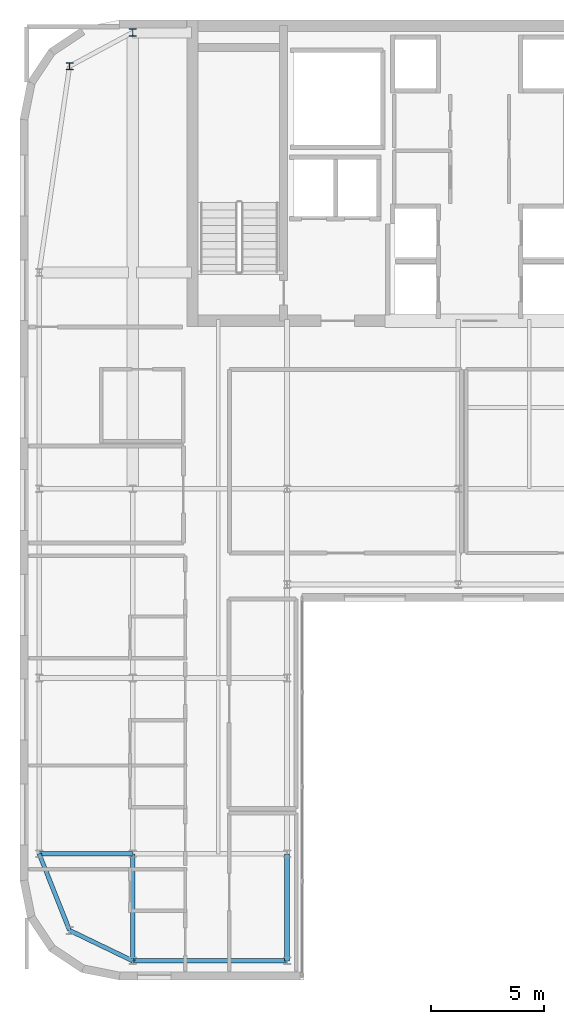
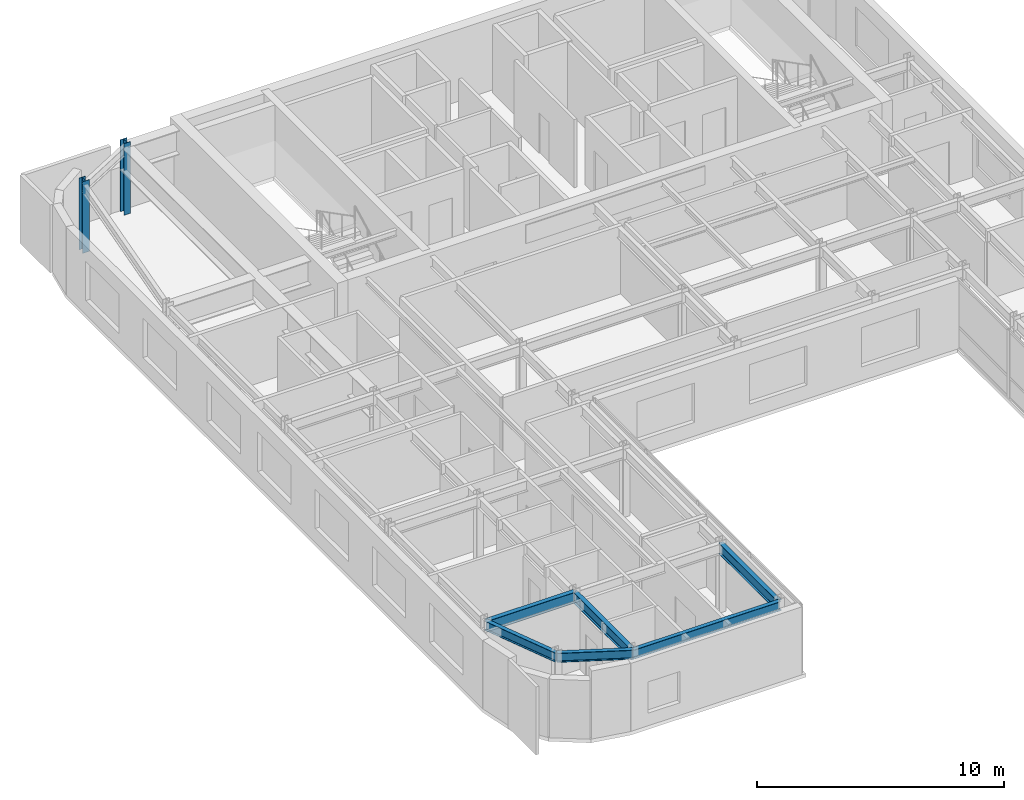
# One storey, part 3 of 18: 6 beams, 2 columns.
"""IFC4 building model written with IfcOpenShell, lengths in metres."""

from ifc_helpers import new_model, si_unit, direction, frame, origin, origin_2d, place, context, subcontext, project, spatial, i_section, extrude, source, transform, mapped, material, material_profile, profile_set, type_object, type_shapes, element, save


model = new_model("IFC4")

# Units and contexts
model_context = context("Model", 3, precision=1e-05, world=origin(), true_north=direction((0.0, 1.0)))
body_context = subcontext(model_context, "Body", "Model", "MODEL_VIEW")
ifc_project = project(units=[si_unit("LENGTHUNIT", "METRE"), si_unit("AREAUNIT", "SQUARE_METRE"), si_unit("VOLUMEUNIT", "CUBIC_METRE"), si_unit("PLANEANGLEUNIT", "RADIAN"), si_unit("MASSUNIT", "GRAM", prefix="KILO")], contexts=[model_context])

# Site, building, storey
site_placement = place(None, origin())
site = spatial("IfcSite", under=ifc_project, at=site_placement, CompositionType="ELEMENT")
building_placement = place(site_placement, origin())
building = spatial("IfcBuilding", under=site, at=building_placement, Name="Tolvann Quenvar Hotel", CompositionType="ELEMENT")
storey_placement = place(building_placement, frame((0.0, 0.0, 245.199951171875)))
storey = spatial("IfcBuildingStorey", under=building, at=storey_placement, Name="L65", CompositionType="ELEMENT", Elevation=245.199951171875)

# Columns
ifc_material = material(Name="Steel Grade 350", Category="steel")
ifc_material_profile_1 = material_profile(ifc_material, i_section(OverallWidth=0.30908203125, OverallDepth=0.321044921875, WebThickness=0.013916015625, FlangeThickness=0.021728515625, FilletRadius=0.0166015625, at=origin_2d()), Name="310UC137")
ifc_profile_set_1 = profile_set([ifc_material_profile_1], Name="Steel Grade 350")
column_type = type_object("IfcColumnType", Name="COL_310UC137", PredefinedType="COLUMN", material=ifc_profile_set_1)
shared_shape_1 = source(origin(), body_context, "Body", "SweptSolid", [
    extrude(i_section(OverallWidth=0.30908203125, OverallDepth=0.321044921875, WebThickness=0.013916015625, FlangeThickness=0.021728515625, FilletRadius=0.0166015625, at=origin_2d()), origin(), (0.0, 0.0, 1.0), 3.550048828125),
])
type_shapes(column_type, [shared_shape_1])
for number, where, z_axis, x_axis, name in (
    (1, (4.800048828125, 43.14990234375, 0.0), (0.0, 0.0, 1.0), (1.0, 0.0, 0.0), "Column BN (L65)"),
    (2, (7.60009765625, 44.64990234375, 0.0), (0.0, 0.0, 1.0), (1.0, 0.0, 0.0), "Column CN (L65)"),
):
    element("IfcColumn", number, at=place(storey_placement, frame(where, z_axis=z_axis, x_axis=x_axis)), inside=storey, type_object=column_type, Name=name, PredefinedType="COLUMN", context=body_context, shape_type="MappedRepresentation", body=[
        mapped(shared_shape_1, transform((0.0, 0.0, 0.0), x_axis=(1.0, 0.0, 0.0), y_axis=(0.0, 1.0, 0.0), z_axis=(0.0, 0.0, 1.0), scale=1.0)),
    ])

# Beams
ifc_material_profile_2 = material_profile(ifc_material, i_section(OverallWidth=0.208984375, OverallDepth=0.532958984375, WebThickness=0.01025390625, FlangeThickness=0.015625, FilletRadius=0.013916015625, at=origin_2d()), Name="530UB92")
ifc_profile_set_2 = profile_set([ifc_material_profile_2], Name="Steel Grade 350")
beam_type_1 = type_object("IfcBeamType", Name="BM_GIRD_530UB92", PredefinedType="BEAM", material=ifc_profile_set_2)
shared_shape_2 = source(origin(), body_context, "Body", "SweptSolid", [
    extrude(i_section(OverallWidth=0.208984375, OverallDepth=0.532958984375, WebThickness=0.01025390625, FlangeThickness=0.015625, FilletRadius=0.013916015625, at=origin_2d()), origin(), (0.0, 0.0, 1.0), 4.75),
])
for number, where, z_axis, x_axis, name in (
    (3, (7.60009765625, 3.449951171875, 3.103515625), (0.0, 1.0, 0.0), (-1.0, 0.0, 0.0), "BM-L65-NS-C2-C3"),
    (4, (14.449951171875, 3.449951171875, 3.103515625), (0.0, 1.0, 0.0), (-1.0, 0.0, 0.0), "BM-L65-NS-D2-D3"),
):
    element("IfcBeam", number, at=place(storey_placement, frame(where, z_axis=z_axis, x_axis=x_axis)), inside=storey, type_object=beam_type_1, Name=name, PredefinedType="BEAM", context=body_context, shape_type="MappedRepresentation", body=[
        mapped(shared_shape_2, transform((0.0, 0.0, 0.0), x_axis=(1.0, 0.0, 0.0), y_axis=(0.0, 1.0, 0.0), z_axis=(0.0, 0.0, 1.0), scale=1.0)),
    ])
ifc_material_profile_3 = material_profile(ifc_material, i_section(OverallWidth=0.19091796875, OverallDepth=0.4599609375, WebThickness=0.010009765625, FlangeThickness=0.01611328125, FilletRadius=0.011474609375, at=origin_2d()), Name="460UB82")
ifc_profile_set_3 = profile_set([ifc_material_profile_3], Name="Steel Grade 350")
beam_type_2 = type_object("IfcBeamType", Name="BM_SPAND_460UB82", PredefinedType="SPANDREL", material=ifc_profile_set_3)
shared_shape_3 = source(origin(), body_context, "Body", "SweptSolid", [
    extrude(i_section(OverallWidth=0.19091796875, OverallDepth=0.4599609375, WebThickness=0.010009765625, FlangeThickness=0.01611328125, FilletRadius=0.011474609375, at=origin_2d()), origin(), (0.0, 0.0, 1.0), 3.108642578125),
])
beam_1_placement = place(storey_placement, frame((4.800048828125, 4.800048828125, 3.14013671875), z_axis=(0.900759354066, -0.434318530646, 0.0), x_axis=(0.434318530646, 0.900759354066, 0.0)))
element("IfcBeam", 5, at=beam_1_placement, inside=storey, type_object=beam_type_2, Name="BM-L65-EW-2-B2-C2", PredefinedType="SPANDREL", context=body_context, shape_type="MappedRepresentation", body=[
    mapped(shared_shape_3, transform((0.0, 0.0, 0.0), x_axis=(1.0, 0.0, 0.0), y_axis=(0.0, 1.0, 0.0), z_axis=(0.0, 0.0, 1.0), scale=1.0)),
])
shared_shape_4 = source(origin(), body_context, "Body", "SweptSolid", [
    extrude(i_section(OverallWidth=0.19091796875, OverallDepth=0.4599609375, WebThickness=0.010009765625, FlangeThickness=0.01611328125, FilletRadius=0.011474609375, at=origin_2d()), origin(), (0.0, 0.0, 1.0), 3.658203125),
])
beam_2_placement = place(storey_placement, frame((4.800048828125, 4.800048828125, 3.14013671875), z_axis=(-0.369065163807, 0.929403521009, 0.0), x_axis=(-0.929403521009, -0.369065163807, 0.0)))
element("IfcBeam", 6, at=beam_2_placement, inside=storey, type_object=beam_type_2, Name="BM-L65-NS-B2-B3", PredefinedType="SPANDREL", context=body_context, shape_type="MappedRepresentation", body=[
    mapped(shared_shape_4, transform((0.0, 0.0, 0.0), x_axis=(1.0, 0.0, 0.0), y_axis=(0.0, 1.0, 0.0), z_axis=(0.0, 0.0, 1.0), scale=1.0)),
])
shared_shape_5 = source(origin(), body_context, "Body", "SweptSolid", [
    extrude(i_section(OverallWidth=0.19091796875, OverallDepth=0.4599609375, WebThickness=0.010009765625, FlangeThickness=0.01611328125, FilletRadius=0.011474609375, at=origin_2d()), origin(), (0.0, 0.0, 1.0), 6.849853515625),
])
type_shapes(beam_type_2, [shared_shape_3, shared_shape_4, shared_shape_5])
beam_3_placement = place(storey_placement, frame((7.60009765625, 3.449951171875, 3.14013671875), z_axis=(1.0, 0.0, 0.0), x_axis=(0.0, 1.0, 0.0)))
element("IfcBeam", 7, at=beam_3_placement, inside=storey, type_object=beam_type_2, Name="BM-L65-EW-2-C2-D2", PredefinedType="SPANDREL", context=body_context, shape_type="MappedRepresentation", body=[
    mapped(shared_shape_5, transform((0.0, 0.0, 0.0), x_axis=(1.0, 0.0, 0.0), y_axis=(0.0, 1.0, 0.0), z_axis=(0.0, 0.0, 1.0), scale=1.0)),
])
shared_shape_6 = source(origin(), body_context, "Body", "SweptSolid", [
    extrude(i_section(OverallWidth=0.208984375, OverallDepth=0.532958984375, WebThickness=0.01025390625, FlangeThickness=0.015625, FilletRadius=0.013916015625, at=origin_2d()), origin(), (0.0, 0.0, 1.0), 4.150146484375),
])
type_shapes(beam_type_1, [shared_shape_2, shared_shape_6])
beam_4_placement = place(storey_placement, frame((3.449951171875, 8.199951171875, 3.103515625), z_axis=(1.0, 0.0, 0.0), x_axis=(0.0, 1.0, 0.0)))
element("IfcBeam", 8, at=beam_4_placement, inside=storey, type_object=beam_type_1, Name="BM-L65-EW-3-B3-C3", PredefinedType="BEAM", context=body_context, shape_type="MappedRepresentation", body=[
    mapped(shared_shape_6, transform((0.0, 0.0, 0.0), x_axis=(1.0, 0.0, 0.0), y_axis=(0.0, 1.0, 0.0), z_axis=(0.0, 0.0, 1.0), scale=1.0)),
])

save(model, "model.ifc")
